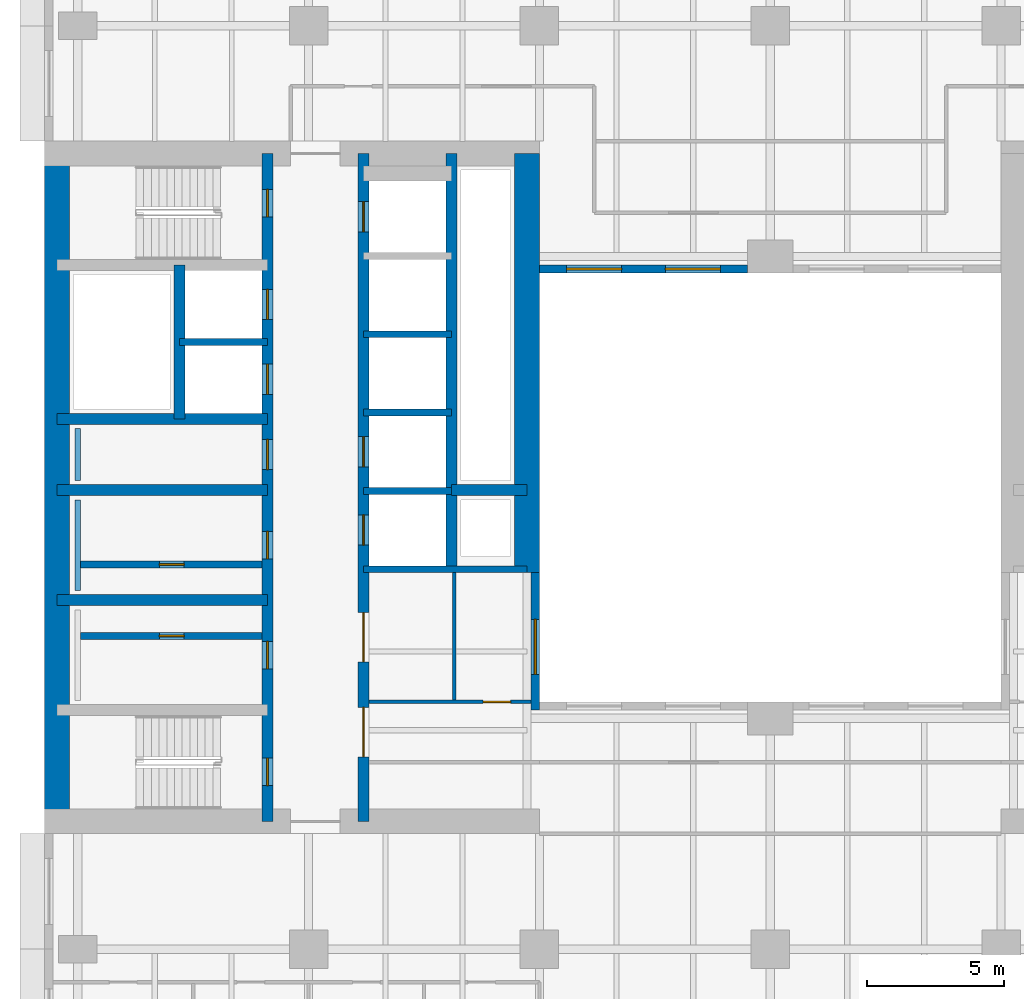
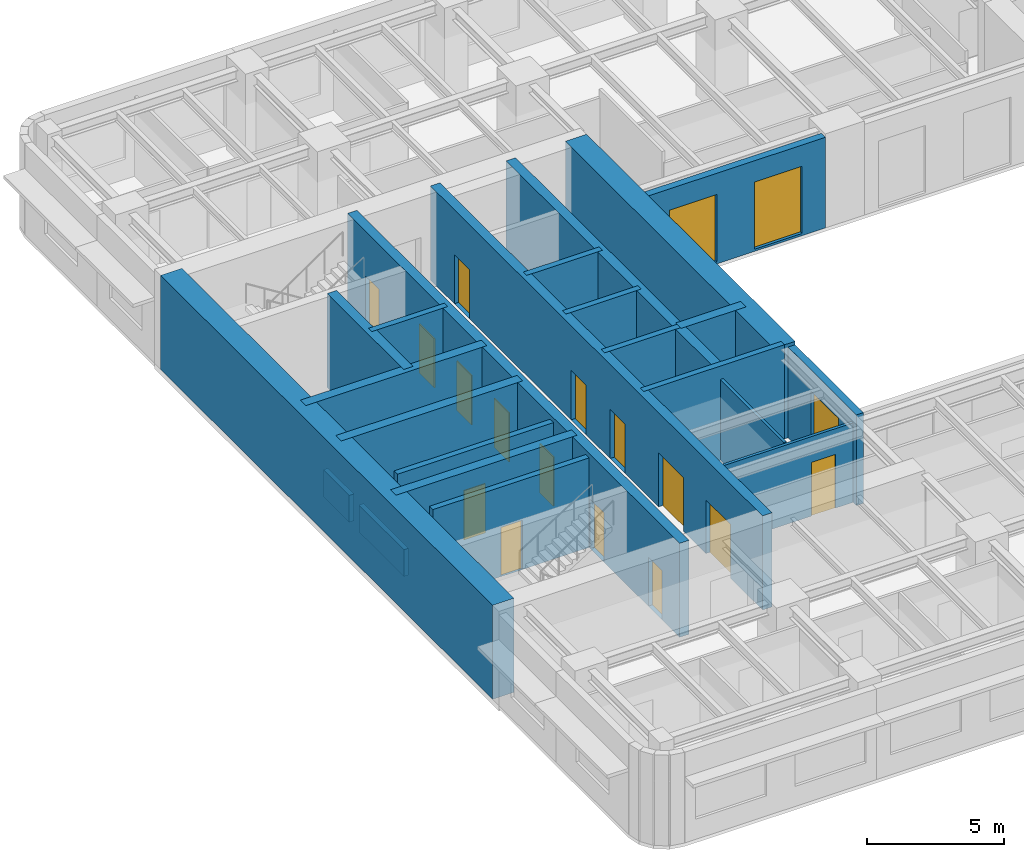
# One storey, part 4 of 11: 23 walls, 15 doors, 3 windows, 18 openings.
"""IFC4 building model written with IfcOpenShell, lengths in metres."""

from ifc_helpers import new_model, si_unit, direction, frame, frame_2d, origin, place, context, subcontext, project, spatial, rectangle, extrude, material, layer, layer_set, type_object, element, fill, save


model = new_model("IFC4")

# Units and contexts
model_context = context("Model", 3, precision=1e-05, world=origin(), true_north=direction((0.0, 1.0)))
body_context = subcontext(model_context, "Body", "Model", "MODEL_VIEW")
ifc_project = project(units=[si_unit("LENGTHUNIT", "METRE"), si_unit("AREAUNIT", "SQUARE_METRE"), si_unit("VOLUMEUNIT", "CUBIC_METRE"), si_unit("PLANEANGLEUNIT", "RADIAN"), si_unit("MASSUNIT", "GRAM", prefix="KILO")], contexts=[model_context])

# Site, building, storey
site_placement = place(None, origin())
site = spatial("IfcSite", under=ifc_project, at=site_placement, CompositionType="ELEMENT")
building_placement = place(site_placement, origin())
building = spatial("IfcBuilding", under=site, at=building_placement, Name="Claustro Exchange Tower", CompositionType="ELEMENT")
storey_placement = place(building_placement, frame((0.0, 0.0, 105.0)))
storey = spatial("IfcBuildingStorey", under=building, at=storey_placement, Name="L23", CompositionType="ELEMENT", Elevation=105.0)

# Wall, opening, door
ifc_material_1 = material(Name="Laminated glass in aluminium frame", Category="aluminium")
ifc_layer_1 = layer(ifc_material_1, 0.1201171875)
ifc_layer_set_1 = layer_set([ifc_layer_1], Name="Laminated glass in aluminium frame")
wall_type_1 = type_object("IfcWallType", Name="P2 120 glazed partition", PredefinedType="PARTITIONING", material=ifc_layer_set_1)
wall_1_placement = place(storey_placement, frame((10.597900390625, 17.39990234375, 0.0), z_axis=(0.0, 0.0, 1.0), x_axis=(1.0, 0.0, 0.0)))
wall_1 = element("IfcWall", 1, at=wall_1_placement, inside=storey, type_object=wall_type_1, Name="Partition P2 L23", PredefinedType="PARTITIONING", context=body_context, shape_type="SweptSolid", body=[
    extrude(rectangle(XDim=5.904052734375, YDim=0.1201171875, at=frame_2d((2.9521484375, 0.0))), origin(), (0.0, 0.0, 1.0), 3.550048828125),
])
opening_1_placement = place(wall_1_placement, frame((4.152099609375, 0.0, 0.0)))
opening_1 = element("IfcOpeningElement", 2, at=opening_1_placement, cuts=wall_1, Name="Opening D7", PredefinedType="OPENING", context=body_context, shape_type="SweptSolid", body=[
    extrude(rectangle(XDim=1.0, YDim=2.39990234375, at=frame_2d((0.5, 1.199951171875))), frame((0.0, 0.070068359375, 0.0), z_axis=(0.0, -1.0, 0.0), x_axis=(1.0, 0.0, 0.0)), (0.0, 0.0, 1.0), 0.14013671875),
])
ifc_material_2 = material(Name="Glass door in aluminium frame", Category="aluminium")
door_type_1 = type_object("IfcDoorType", Name="D7 1000 x 2400 glazed door", OperationType="SINGLE_SWING_LEFT", PredefinedType="DOOR", material=ifc_material_2)
door_1_placement = place(opening_1_placement, origin())
door_1 = element("IfcDoor", 3, at=door_1_placement, inside=storey, type_object=door_type_1, Name="Door D7 L23", OperationType="SINGLE_SWING_RIGHT", OverallHeight=2.39990234375, OverallWidth=1.0, PredefinedType="DOOR", context=body_context, shape_type="SweptSolid", body=[
    extrude(rectangle(XDim=1.0, YDim=2.39990234375, at=frame_2d((0.5, 1.199951171875))), frame((0.0, 0.02490234375, 0.0), z_axis=(0.0, -1.0, 0.0), x_axis=(1.0, 0.0, 0.0)), (0.0, 0.0, 1.0), 0.050048828125),
])
fill(opening_1, door_1)

# Wall
wall_2_placement = place(storey_placement, frame((13.699951171875, 17.4580078125, 0.0), z_axis=(0.0, 0.0, 1.0), x_axis=(0.0, 1.0, 0.0)))
element("IfcWall", 4, at=wall_2_placement, inside=storey, type_object=wall_type_1, Name="Partition P2 L23", PredefinedType="PARTITIONING", context=body_context, shape_type="SweptSolid", body=[
    extrude(rectangle(XDim=4.64404296875, YDim=0.1201171875, at=frame_2d((2.322021484375, 0.0))), origin(), (0.0, 0.0, 1.0), 3.60009765625),
])

# Wall, opening, door
ifc_material_3 = material(Name="Concrete blockwork, rendered", Category="masonry")
ifc_layer_2 = layer(ifc_material_3, 0.25)
ifc_layer_set_2 = layer_set([ifc_layer_2], Name="Concrete blockwork, rendered")
wall_type_2 = type_object("IfcWallType", Name="P4 250 blockwork wall", PredefinedType="PARTITIONING", material=ifc_layer_set_2)
wall_3_placement = place(storey_placement, frame((0.10009765625, 22.39990234375, 0.0), z_axis=(0.0, 0.0, 1.0), x_axis=(1.0, 0.0, 0.0)))
wall_3 = element("IfcWall", 5, at=wall_3_placement, inside=storey, type_object=wall_type_2, Name="Partition P4 L23", PredefinedType="PARTITIONING", context=body_context, shape_type="SweptSolid", body=[
    extrude(rectangle(XDim=6.599853515625, YDim=0.25, at=frame_2d((3.2998046875, 0.0))), origin(), (0.0, 0.0, 1.0), 4.0),
])
opening_2_placement = place(wall_3_placement, frame((2.875, 0.0, 0.0)))
opening_2 = element("IfcOpeningElement", 6, at=opening_2_placement, cuts=wall_3, Name="Opening D5", PredefinedType="OPENING", context=body_context, shape_type="SweptSolid", body=[
    extrude(rectangle(XDim=0.89990234375, YDim=2.199951171875, at=frame_2d((0.449951171875, 1.10009765625))), frame((0.0, 0.135009765625, 0.0), z_axis=(0.0, -1.0, 0.0), x_axis=(1.0, 0.0, 0.0)), (0.0, 0.0, 1.0), 0.27001953125),
])
ifc_material_4 = material(Name="Steel door, painted", Category="steel")
door_type_2 = type_object("IfcDoorType", Name="D5 900 x 2200 store door", OperationType="SINGLE_SWING_LEFT", PredefinedType="DOOR", material=ifc_material_4)
door_2_placement = place(opening_2_placement, frame((0.89990234375, 0.0, 0.0), z_axis=(0.0, 0.0, 1.0), x_axis=(-1.0, 0.0, 0.0)))
door_2 = element("IfcDoor", 7, at=door_2_placement, inside=storey, type_object=door_type_2, Name="Store door D5 L23", OperationType="SINGLE_SWING_RIGHT", OverallHeight=2.199951171875, OverallWidth=0.89990234375, PredefinedType="DOOR", context=body_context, shape_type="SweptSolid", body=[
    extrude(rectangle(XDim=0.89990234375, YDim=2.199951171875, at=frame_2d((0.449951171875, 1.10009765625))), frame((0.0, 0.02490234375, 0.0), z_axis=(0.0, -1.0, 0.0), x_axis=(1.0, 0.0, 0.0)), (0.0, 0.0, 1.0), 0.050048828125),
])
fill(opening_2, door_2)

wall_4_placement = place(storey_placement, frame((0.10009765625, 19.800048828125, 0.0), z_axis=(0.0, 0.0, 1.0), x_axis=(1.0, 0.0, 0.0)))
wall_4 = element("IfcWall", 8, at=wall_4_placement, inside=storey, type_object=wall_type_2, Name="Partition P4 L23", PredefinedType="PARTITIONING", context=body_context, shape_type="SweptSolid", body=[
    extrude(rectangle(XDim=6.599853515625, YDim=0.25, at=frame_2d((3.2998046875, 0.0))), origin(), (0.0, 0.0, 1.0), 4.0),
])
opening_3_placement = place(wall_4_placement, frame((2.875, 0.0, 0.0)))
opening_3 = element("IfcOpeningElement", 9, at=opening_3_placement, cuts=wall_4, Name="Opening D5", PredefinedType="OPENING", context=body_context, shape_type="SweptSolid", body=[
    extrude(rectangle(XDim=0.89990234375, YDim=2.199951171875, at=frame_2d((0.449951171875, 1.10009765625))), frame((0.0, 0.135009765625, 0.0), z_axis=(0.0, -1.0, 0.0), x_axis=(1.0, 0.0, 0.0)), (0.0, 0.0, 1.0), 0.27001953125),
])
door_3_placement = place(opening_3_placement, origin())
door_3 = element("IfcDoor", 10, at=door_3_placement, inside=storey, type_object=door_type_2, Name="Store door D5 L23", OperationType="SINGLE_SWING_LEFT", OverallHeight=2.199951171875, OverallWidth=0.89990234375, PredefinedType="DOOR", context=body_context, shape_type="SweptSolid", body=[
    extrude(rectangle(XDim=0.89990234375, YDim=2.199951171875, at=frame_2d((0.449951171875, 1.10009765625))), frame((0.0, 0.02490234375, 0.0), z_axis=(0.0, -1.0, 0.0), x_axis=(1.0, 0.0, 0.0)), (0.0, 0.0, 1.0), 0.050048828125),
])
fill(opening_3, door_3)

# Wall, opening, window
ifc_material_5 = material(Name="Concrete HA-40 (C40/50), precast, white cement, acid-etched", Category="concrete")
ifc_layer_3 = layer(ifc_material_5, 0.300048828125)
ifc_layer_set_3 = layer_set([ifc_layer_3], Name="Concrete HA-40 (C40/50), precast, white cement, acid-etched")
wall_type_3 = type_object("IfcWallType", Name="PC1 300 precast concrete pier panel", PredefinedType="SOLIDWALL", material=ifc_layer_set_3)
wall_5_placement = place(storey_placement, frame((16.64990234375, 17.10009765625, 0.0), z_axis=(0.0, 0.0, 1.0), x_axis=(0.0, 1.0, 0.0)))
wall_5 = element("IfcWall", 11, at=wall_5_placement, inside=storey, type_object=wall_type_3, Name="Precast pier panel PC1 L23", PredefinedType="SOLIDWALL", context=body_context, shape_type="SweptSolid", body=[
    extrude(rectangle(XDim=5.0, YDim=0.300048828125, at=frame_2d((2.5, 0.0))), origin(), (0.0, 0.0, 1.0), 4.050048828125),
])
opening_4_placement = place(wall_5_placement, frame((1.300048828125, 0.0, 0.10009765625)))
opening_4 = element("IfcOpeningElement", 12, at=opening_4_placement, cuts=wall_5, Name="Opening W-A", PredefinedType="OPENING", context=body_context, shape_type="SweptSolid", body=[
    extrude(rectangle(XDim=2.0, YDim=3.0, at=frame_2d((1.0, 1.5))), frame((0.0, 0.159912109375, 0.0), z_axis=(0.0, -1.0, 0.0), x_axis=(1.0, 0.0, 0.0)), (0.0, 0.0, 1.0), 0.320068359375),
])
ifc_material_6 = material(Name="Aluminium frame, clear double glazing", Category="aluminium")
window_type = type_object("IfcWindowType", Name="W-A 2000 x 3000 arcade window", PartitioningType="SINGLE_PANEL", PredefinedType="WINDOW", material=ifc_material_6)
window_1_placement = place(opening_4_placement, origin())
window_1 = element("IfcWindow", 13, at=window_1_placement, inside=storey, type_object=window_type, Name="Window W-A L23", OverallHeight=3.0, OverallWidth=2.0, PartitioningType="SINGLE_PANEL", PredefinedType="WINDOW", context=body_context, shape_type="SweptSolid", body=[
    extrude(rectangle(XDim=2.0, YDim=3.0, at=frame_2d((1.0, 1.5))), frame((0.0, 0.030029296875, 0.0), z_axis=(0.0, -1.0, 0.0), x_axis=(1.0, 0.0, 0.0)), (0.0, 0.0, 1.0), 0.06005859375),
])
fill(opening_4, window_1)

# Wall, openings, windows
wall_6_placement = place(storey_placement, frame((16.800048828125, 33.14990234375, 0.0), z_axis=(0.0, 0.0, 1.0), x_axis=(1.0, 0.0, 0.0)))
wall_6 = element("IfcWall", 14, at=wall_6_placement, inside=storey, type_object=wall_type_3, Name="Precast pier panel PC1 L23", PredefinedType="SOLIDWALL", context=body_context, shape_type="SweptSolid", body=[
    extrude(rectangle(XDim=7.574951171875, YDim=0.300048828125, at=frame_2d((3.78759765625, 0.0))), origin(), (0.0, 0.0, 1.0), 4.050048828125),
])
opening_5_placement = place(wall_6_placement, frame((0.987548828125, 0.0, 0.10009765625)))
opening_5 = element("IfcOpeningElement", 15, at=opening_5_placement, cuts=wall_6, Name="Opening W-A", PredefinedType="OPENING", context=body_context, shape_type="SweptSolid", body=[
    extrude(rectangle(XDim=2.0, YDim=3.0, at=frame_2d((1.0, 1.5))), frame((0.0, 0.159912109375, 0.0), z_axis=(0.0, -1.0, 0.0), x_axis=(1.0, 0.0, 0.0)), (0.0, 0.0, 1.0), 0.320068359375),
])
opening_6_placement = place(wall_6_placement, frame((4.58740234375, 0.0, 0.10009765625)))
opening_6 = element("IfcOpeningElement", 16, at=opening_6_placement, cuts=wall_6, Name="Opening W-A", PredefinedType="OPENING", context=body_context, shape_type="SweptSolid", body=[
    extrude(rectangle(XDim=2.0, YDim=3.0, at=frame_2d((1.0, 1.5))), frame((0.0, 0.159912109375, 0.0), z_axis=(0.0, -1.0, 0.0), x_axis=(1.0, 0.0, 0.0)), (0.0, 0.0, 1.0), 0.320068359375),
])
window_2_placement = place(opening_5_placement, origin())
window_2 = element("IfcWindow", 17, at=window_2_placement, inside=storey, type_object=window_type, Name="Window W-A L23", OverallHeight=3.0, OverallWidth=2.0, PartitioningType="SINGLE_PANEL", PredefinedType="WINDOW", context=body_context, shape_type="SweptSolid", body=[
    extrude(rectangle(XDim=2.0, YDim=3.0, at=frame_2d((1.0, 1.5))), frame((0.0, 0.030029296875, 0.0), z_axis=(0.0, -1.0, 0.0), x_axis=(1.0, 0.0, 0.0)), (0.0, 0.0, 1.0), 0.06005859375),
])
fill(opening_5, window_2)
window_3_placement = place(opening_6_placement, origin())
window_3 = element("IfcWindow", 18, at=window_3_placement, inside=storey, type_object=window_type, Name="Window W-A L23", OverallHeight=3.0, OverallWidth=2.0, PartitioningType="SINGLE_PANEL", PredefinedType="WINDOW", context=body_context, shape_type="SweptSolid", body=[
    extrude(rectangle(XDim=2.0, YDim=3.0, at=frame_2d((1.0, 1.5))), frame((0.0, 0.030029296875, 0.0), z_axis=(0.0, -1.0, 0.0), x_axis=(1.0, 0.0, 0.0)), (0.0, 0.0, 1.0), 0.06005859375),
])
fill(opening_6, window_3)

# Walls
ifc_material_7 = material(Name="Gypsum board on steel studs, tiled", Category="steel")
ifc_layer_4 = layer(ifc_material_7, 0.199951171875)
ifc_layer_set_4 = layer_set([ifc_layer_4], Name="Gypsum board on steel studs, tiled")
wall_type_4 = type_object("IfcWallType", Name="PW1 200 WC duct wall", PredefinedType="PLUMBINGWALL", material=ifc_layer_set_4)
wall_7_placement = place(storey_placement, frame((0.0, 21.449951171875, 0.0), z_axis=(0.0, 0.0, 1.0), x_axis=(0.0, 1.0, 0.0)))
element("IfcWall", 19, at=wall_7_placement, inside=storey, type_object=wall_type_4, Name="WC duct wall PW1 L23", PredefinedType="PLUMBINGWALL", context=body_context, shape_type="SweptSolid", body=[
    extrude(rectangle(XDim=3.300048828125, YDim=0.199951171875, at=frame_2d((1.64990234375, 0.0))), origin(), (0.0, 0.0, 1.0), 1.199951171875),
])
wall_8_placement = place(storey_placement, frame((0.0, 25.449951171875, 0.0), z_axis=(0.0, 0.0, 1.0), x_axis=(0.0, 1.0, 0.0)))
element("IfcWall", 20, at=wall_8_placement, inside=storey, type_object=wall_type_4, Name="WC duct wall PW1 L23", PredefinedType="PLUMBINGWALL", context=body_context, shape_type="SweptSolid", body=[
    extrude(rectangle(XDim=1.900146484375, YDim=0.199951171875, at=frame_2d((0.9501953125, 0.0))), origin(), (0.0, 0.0, 1.0), 1.199951171875),
])
ifc_material_8 = material(Name="Concrete HA-70 (C70/85)", Category="concrete")
ifc_layer_5 = layer(ifc_material_8, 0.89990234375)
ifc_layer_set_5 = layer_set([ifc_layer_5], Name="Concrete HA-70 (C70/85)")
wall_type_5 = type_object("IfcWallType", Name="SW1X 900 exposed core shear wall, board-marked face", PredefinedType="SHEAR", material=ifc_layer_set_5)
wall_9_placement = place(storey_placement, frame((-0.75, 13.050048828125, 0.0), z_axis=(0.0, 0.0, 1.0), x_axis=(0.0, 1.0, 0.0)))
element("IfcWall", 21, at=wall_9_placement, inside=storey, type_object=wall_type_5, Name="Core wall SW1X W core W face L23", PredefinedType="SHEAR", context=body_context, shape_type="SweptSolid", body=[
    extrude(rectangle(XDim=24.300048828125, YDim=0.89990234375, at=frame_2d((12.14990234375, 0.0))), origin(), (0.0, 0.0, 1.0), 4.199951171875),
])
wall_10_placement = place(storey_placement, frame((16.35009765625, 22.10009765625, 0.0), z_axis=(0.0, 0.0, 1.0), x_axis=(0.0, 1.0, 0.0)))
element("IfcWall", 22, at=wall_10_placement, inside=storey, type_object=wall_type_5, Name="Core wall SW1X W core E face L23", PredefinedType="SHEAR", context=body_context, shape_type="SweptSolid", body=[
    extrude(rectangle(XDim=15.25, YDim=0.89990234375, at=frame_2d((7.625, 0.0))), origin(), (0.0, 0.0, 1.0), 4.199951171875),
])

# Wall, openings, doors
ifc_material_9 = material(Name="Concrete HA-50 (C50/60)", Category="concrete")
ifc_layer_6 = layer(ifc_material_9, 0.39990234375)
ifc_layer_set_6 = layer_set([ifc_layer_6], Name="Concrete HA-50 (C50/60)")
wall_type_6 = type_object("IfcWallType", Name="SW4 400 internal core wall", PredefinedType="SHEAR", material=ifc_layer_set_6)
wall_11_placement = place(storey_placement, frame((6.89990234375, 13.050048828125, 0.0), z_axis=(0.0, 0.0, 1.0), x_axis=(0.0, 1.0, 0.0)))
wall_11 = element("IfcWall", 23, at=wall_11_placement, inside=storey, type_object=wall_type_6, Name="Internal core wall SW4 W core L23", PredefinedType="SHEAR", context=body_context, shape_type="SweptSolid", body=[
    extrude(rectangle(XDim=24.300048828125, YDim=0.39990234375, at=frame_2d((12.14990234375, 0.0))), origin(), (0.0, 0.0, 1.0), 4.199951171875),
])
opening_7_placement = place(wall_11_placement, frame((1.300048828125, 0.0, 0.0)))
opening_7 = element("IfcOpeningElement", 24, at=opening_7_placement, cuts=wall_11, Name="Opening D4", PredefinedType="OPENING", context=body_context, shape_type="SweptSolid", body=[
    extrude(rectangle(XDim=1.0, YDim=2.199951171875, at=frame_2d((0.5, 1.10009765625))), frame((0.0, 0.2099609375, 0.0), z_axis=(0.0, -1.0, 0.0), x_axis=(1.0, 0.0, 0.0)), (0.0, 0.0, 1.0), 0.419921875),
])
opening_8_placement = place(wall_11_placement, frame((22.0, 0.0, 0.0)))
opening_8 = element("IfcOpeningElement", 25, at=opening_8_placement, cuts=wall_11, Name="Opening D4", PredefinedType="OPENING", context=body_context, shape_type="SweptSolid", body=[
    extrude(rectangle(XDim=1.0, YDim=2.199951171875, at=frame_2d((0.5, 1.10009765625))), frame((0.0, 0.2099609375, 0.0), z_axis=(0.0, -1.0, 0.0), x_axis=(1.0, 0.0, 0.0)), (0.0, 0.0, 1.0), 0.419921875),
])
opening_9_placement = place(wall_11_placement, frame((5.550048828125, 0.0, 0.0)))
opening_9 = element("IfcOpeningElement", 26, at=opening_9_placement, cuts=wall_11, Name="Opening D1", PredefinedType="OPENING", context=body_context, shape_type="SweptSolid", body=[
    extrude(rectangle(XDim=1.0, YDim=2.199951171875, at=frame_2d((0.5, 1.10009765625))), frame((0.0, 0.2099609375, 0.0), z_axis=(0.0, -1.0, 0.0), x_axis=(1.0, 0.0, 0.0)), (0.0, 0.0, 1.0), 0.419921875),
])
opening_10_placement = place(wall_11_placement, frame((9.550048828125, 0.0, 0.0)))
opening_10 = element("IfcOpeningElement", 27, at=opening_10_placement, cuts=wall_11, Name="Opening D1", PredefinedType="OPENING", context=body_context, shape_type="SweptSolid", body=[
    extrude(rectangle(XDim=1.0, YDim=2.199951171875, at=frame_2d((0.5, 1.10009765625))), frame((0.0, 0.2099609375, 0.0), z_axis=(0.0, -1.0, 0.0), x_axis=(1.0, 0.0, 0.0)), (0.0, 0.0, 1.0), 0.419921875),
])
opening_11_placement = place(wall_11_placement, frame((12.800048828125, 0.0, 0.0)))
opening_11 = element("IfcOpeningElement", 28, at=opening_11_placement, cuts=wall_11, Name="Opening D10", PredefinedType="OPENING", context=body_context, shape_type="SweptSolid", body=[
    extrude(rectangle(XDim=1.10009765625, YDim=2.199951171875, at=frame_2d((0.550048828125, 1.10009765625))), frame((0.0, 0.2099609375, 0.0), z_axis=(0.0, -1.0, 0.0), x_axis=(1.0, 0.0, 0.0)), (0.0, 0.0, 1.0), 0.419921875),
])
opening_12_placement = place(wall_11_placement, frame((15.53759765625, 0.0, 0.0)))
opening_12 = element("IfcOpeningElement", 29, at=opening_12_placement, cuts=wall_11, Name="Opening LD", PredefinedType="OPENING", context=body_context, shape_type="SweptSolid", body=[
    extrude(rectangle(XDim=1.10009765625, YDim=2.199951171875, at=frame_2d((0.550048828125, 1.10009765625))), frame((0.0, 0.2099609375, 0.0), z_axis=(0.0, -1.0, 0.0), x_axis=(1.0, 0.0, 0.0)), (0.0, 0.0, 1.0), 0.419921875),
])
opening_13_placement = place(wall_11_placement, frame((18.262451171875, 0.0, 0.0)))
opening_13 = element("IfcOpeningElement", 30, at=opening_13_placement, cuts=wall_11, Name="Opening LD", PredefinedType="OPENING", context=body_context, shape_type="SweptSolid", body=[
    extrude(rectangle(XDim=1.10009765625, YDim=2.199951171875, at=frame_2d((0.550048828125, 1.10009765625))), frame((0.0, 0.2099609375, 0.0), z_axis=(0.0, -1.0, 0.0), x_axis=(1.0, 0.0, 0.0)), (0.0, 0.0, 1.0), 0.419921875),
])
ifc_material_10 = material(Name="Timber door, oak veneer", Category="wood")
door_type_3 = type_object("IfcDoorType", Name="D1 1000 x 2200 single door", OperationType="SINGLE_SWING_LEFT", PredefinedType="DOOR", material=ifc_material_10)
door_4_placement = place(opening_9_placement, origin())
door_4 = element("IfcDoor", 31, at=door_4_placement, inside=storey, type_object=door_type_3, Name="Door D1 L23", OperationType="SINGLE_SWING_RIGHT", OverallHeight=2.199951171875, OverallWidth=1.0, PredefinedType="DOOR", context=body_context, shape_type="SweptSolid", body=[
    extrude(rectangle(XDim=1.0, YDim=2.199951171875, at=frame_2d((0.5, 1.10009765625))), frame((0.0, 0.02490234375, 0.0), z_axis=(0.0, -1.0, 0.0), x_axis=(1.0, 0.0, 0.0)), (0.0, 0.0, 1.0), 0.050048828125),
])
fill(opening_9, door_4)
door_5_placement = place(opening_10_placement, origin())
door_5 = element("IfcDoor", 32, at=door_5_placement, inside=storey, type_object=door_type_3, Name="Door D1 L23", OperationType="SINGLE_SWING_LEFT", OverallHeight=2.199951171875, OverallWidth=1.0, PredefinedType="DOOR", context=body_context, shape_type="SweptSolid", body=[
    extrude(rectangle(XDim=1.0, YDim=2.199951171875, at=frame_2d((0.5, 1.10009765625))), frame((0.0, 0.02490234375, 0.0), z_axis=(0.0, -1.0, 0.0), x_axis=(1.0, 0.0, 0.0)), (0.0, 0.0, 1.0), 0.050048828125),
])
fill(opening_10, door_5)
ifc_material_11 = material(Name="Timber door, oak veneer", Category="wood")
door_type_4 = type_object("IfcDoorType", Name="D10 1100 x 2200 accessible WC door", OperationType="SINGLE_SWING_LEFT", PredefinedType="DOOR", material=ifc_material_11)
door_6_placement = place(opening_11_placement, frame((1.10009765625, 0.0, 0.0), z_axis=(0.0, 0.0, 1.0), x_axis=(-1.0, 0.0, 0.0)))
door_6 = element("IfcDoor", 33, at=door_6_placement, inside=storey, type_object=door_type_4, Name="Accessible WC door D10 L23", OperationType="SINGLE_SWING_LEFT", OverallHeight=2.199951171875, OverallWidth=1.10009765625, PredefinedType="DOOR", context=body_context, shape_type="SweptSolid", body=[
    extrude(rectangle(XDim=1.10009765625, YDim=2.199951171875, at=frame_2d((0.550048828125, 1.10009765625))), frame((0.0, 0.02490234375, 0.0), z_axis=(0.0, -1.0, 0.0), x_axis=(1.0, 0.0, 0.0)), (0.0, 0.0, 1.0), 0.050048828125),
])
fill(opening_11, door_6)
ifc_material_12 = material(Name="Steel fire door, painted", Category="steel")
door_type_5 = type_object("IfcDoorType", Name="D4 1000 x 2200 fire-rated stair door", OperationType="SINGLE_SWING_LEFT", PredefinedType="DOOR", material=ifc_material_12)
door_7_placement = place(opening_7_placement, origin())
door_7 = element("IfcDoor", 34, at=door_7_placement, inside=storey, type_object=door_type_5, Name="Stair door D4 L23", OperationType="SINGLE_SWING_LEFT", OverallHeight=2.199951171875, OverallWidth=1.0, PredefinedType="DOOR", context=body_context, shape_type="SweptSolid", body=[
    extrude(rectangle(XDim=1.0, YDim=2.199951171875, at=frame_2d((0.5, 1.10009765625))), frame((0.0, 0.02490234375, 0.0), z_axis=(0.0, -1.0, 0.0), x_axis=(1.0, 0.0, 0.0)), (0.0, 0.0, 1.0), 0.050048828125),
])
fill(opening_7, door_7)
door_8_placement = place(opening_8_placement, origin())
door_8 = element("IfcDoor", 35, at=door_8_placement, inside=storey, type_object=door_type_5, Name="Stair door D4 L23", OperationType="SINGLE_SWING_RIGHT", OverallHeight=2.199951171875, OverallWidth=1.0, PredefinedType="DOOR", context=body_context, shape_type="SweptSolid", body=[
    extrude(rectangle(XDim=1.0, YDim=2.199951171875, at=frame_2d((0.5, 1.10009765625))), frame((0.0, 0.02490234375, 0.0), z_axis=(0.0, -1.0, 0.0), x_axis=(1.0, 0.0, 0.0)), (0.0, 0.0, 1.0), 0.050048828125),
])
fill(opening_8, door_8)
ifc_material_13 = material(Name="Stainless steel sliding door", Category="steel")
door_type_6 = type_object("IfcDoorType", Name="LD 1100 x 2200 lift landing door", OperationType="DOUBLE_DOOR_SLIDING", PredefinedType="DOOR", material=ifc_material_13)
door_9_placement = place(opening_12_placement, origin())
door_9 = element("IfcDoor", 36, at=door_9_placement, inside=storey, type_object=door_type_6, Name="Lift landing door LEW1 LD L23", OperationType="DOUBLE_DOOR_SLIDING", OverallHeight=2.199951171875, OverallWidth=1.10009765625, PredefinedType="DOOR", context=body_context, shape_type="SweptSolid", body=[
    extrude(rectangle(XDim=1.10009765625, YDim=2.199951171875, at=frame_2d((0.550048828125, 1.10009765625))), frame((0.0, 0.02490234375, 0.0), z_axis=(0.0, -1.0, 0.0), x_axis=(1.0, 0.0, 0.0)), (0.0, 0.0, 1.0), 0.050048828125),
])
fill(opening_12, door_9)
door_10_placement = place(opening_13_placement, origin())
door_10 = element("IfcDoor", 37, at=door_10_placement, inside=storey, type_object=door_type_6, Name="Lift landing door LEW2 LD L23", OperationType="DOUBLE_DOOR_SLIDING", OverallHeight=2.199951171875, OverallWidth=1.10009765625, PredefinedType="DOOR", context=body_context, shape_type="SweptSolid", body=[
    extrude(rectangle(XDim=1.10009765625, YDim=2.199951171875, at=frame_2d((0.550048828125, 1.10009765625))), frame((0.0, 0.02490234375, 0.0), z_axis=(0.0, -1.0, 0.0), x_axis=(1.0, 0.0, 0.0)), (0.0, 0.0, 1.0), 0.050048828125),
])
fill(opening_13, door_10)

wall_12_placement = place(storey_placement, frame((10.39990234375, 13.050048828125, 0.0), z_axis=(0.0, 0.0, 1.0), x_axis=(0.0, 1.0, 0.0)))
wall_12 = element("IfcWall", 38, at=wall_12_placement, inside=storey, type_object=wall_type_6, Name="Internal core wall SW4 W core L23", PredefinedType="SHEAR", context=body_context, shape_type="SweptSolid", body=[
    extrude(rectangle(XDim=24.300048828125, YDim=0.39990234375, at=frame_2d((12.14990234375, 0.0))), origin(), (0.0, 0.0, 1.0), 4.199951171875),
])
opening_14_placement = place(wall_12_placement, frame((10.050048828125, 0.0, 0.0)))
opening_14 = element("IfcOpeningElement", 39, at=opening_14_placement, cuts=wall_12, Name="Opening LD", PredefinedType="OPENING", context=body_context, shape_type="SweptSolid", body=[
    extrude(rectangle(XDim=1.10009765625, YDim=2.199951171875, at=frame_2d((0.550048828125, 1.10009765625))), frame((0.0, 0.2099609375, 0.0), z_axis=(0.0, -1.0, 0.0), x_axis=(1.0, 0.0, 0.0)), (0.0, 0.0, 1.0), 0.419921875),
])
opening_15_placement = place(wall_12_placement, frame((12.89990234375, 0.0, 0.0)))
opening_15 = element("IfcOpeningElement", 40, at=opening_15_placement, cuts=wall_12, Name="Opening LD", PredefinedType="OPENING", context=body_context, shape_type="SweptSolid", body=[
    extrude(rectangle(XDim=1.10009765625, YDim=2.199951171875, at=frame_2d((0.550048828125, 1.10009765625))), frame((0.0, 0.2099609375, 0.0), z_axis=(0.0, -1.0, 0.0), x_axis=(1.0, 0.0, 0.0)), (0.0, 0.0, 1.0), 0.419921875),
])
opening_16_placement = place(wall_12_placement, frame((21.449951171875, 0.0, 0.0)))
opening_16 = element("IfcOpeningElement", 41, at=opening_16_placement, cuts=wall_12, Name="Opening LD", PredefinedType="OPENING", context=body_context, shape_type="SweptSolid", body=[
    extrude(rectangle(XDim=1.10009765625, YDim=2.199951171875, at=frame_2d((0.550048828125, 1.10009765625))), frame((0.0, 0.2099609375, 0.0), z_axis=(0.0, -1.0, 0.0), x_axis=(1.0, 0.0, 0.0)), (0.0, 0.0, 1.0), 0.419921875),
])
opening_17_placement = place(wall_12_placement, frame((2.35009765625, 0.0, 0.0)))
opening_17 = element("IfcOpeningElement", 42, at=opening_17_placement, cuts=wall_12, Name="Opening D3", PredefinedType="OPENING", context=body_context, shape_type="SweptSolid", body=[
    extrude(rectangle(XDim=1.800048828125, YDim=2.39990234375, at=frame_2d((0.89990234375, 1.199951171875))), frame((0.0, 0.2099609375, 0.0), z_axis=(0.0, -1.0, 0.0), x_axis=(1.0, 0.0, 0.0)), (0.0, 0.0, 1.0), 0.419921875),
])
opening_18_placement = place(wall_12_placement, frame((5.800048828125, 0.0, 0.0)))
opening_18 = element("IfcOpeningElement", 43, at=opening_18_placement, cuts=wall_12, Name="Opening D3", PredefinedType="OPENING", context=body_context, shape_type="SweptSolid", body=[
    extrude(rectangle(XDim=1.800048828125, YDim=2.39990234375, at=frame_2d((0.89990234375, 1.199951171875))), frame((0.0, 0.2099609375, 0.0), z_axis=(0.0, -1.0, 0.0), x_axis=(1.0, 0.0, 0.0)), (0.0, 0.0, 1.0), 0.419921875),
])
ifc_material_14 = material(Name="Steel fire door, painted", Category="steel")
door_type_7 = type_object("IfcDoorType", Name="D3 1800 x 2400 fire-rated lobby double door", OperationType="DOUBLE_DOOR_SINGLE_SWING", PredefinedType="DOOR", material=ifc_material_14)
door_11_placement = place(opening_17_placement, origin())
door_11 = element("IfcDoor", 44, at=door_11_placement, inside=storey, type_object=door_type_7, Name="Core zone door D3 L23", OperationType="DOUBLE_DOOR_SINGLE_SWING", OverallHeight=2.39990234375, OverallWidth=1.800048828125, PredefinedType="DOOR", context=body_context, shape_type="SweptSolid", body=[
    extrude(rectangle(XDim=1.800048828125, YDim=2.39990234375, at=frame_2d((0.89990234375, 1.199951171875))), frame((0.0, 0.02490234375, 0.0), z_axis=(0.0, -1.0, 0.0), x_axis=(1.0, 0.0, 0.0)), (0.0, 0.0, 1.0), 0.050048828125),
])
fill(opening_17, door_11)
door_12_placement = place(opening_18_placement, frame((1.800048828125, 0.0, 0.0), z_axis=(0.0, 0.0, 1.0), x_axis=(-1.0, 0.0, 0.0)))
door_12 = element("IfcDoor", 45, at=door_12_placement, inside=storey, type_object=door_type_7, Name="Core zone door D3 L23", OperationType="DOUBLE_DOOR_SINGLE_SWING", OverallHeight=2.39990234375, OverallWidth=1.800048828125, PredefinedType="DOOR", context=body_context, shape_type="SweptSolid", body=[
    extrude(rectangle(XDim=1.800048828125, YDim=2.39990234375, at=frame_2d((0.89990234375, 1.199951171875))), frame((0.0, 0.02490234375, 0.0), z_axis=(0.0, -1.0, 0.0), x_axis=(1.0, 0.0, 0.0)), (0.0, 0.0, 1.0), 0.050048828125),
])
fill(opening_18, door_12)
door_13_placement = place(opening_14_placement, origin())
door_13 = element("IfcDoor", 46, at=door_13_placement, inside=storey, type_object=door_type_6, Name="Lift landing door LMW1 LD L23", OperationType="DOUBLE_DOOR_SLIDING", OverallHeight=2.199951171875, OverallWidth=1.10009765625, PredefinedType="DOOR", context=body_context, shape_type="SweptSolid", body=[
    extrude(rectangle(XDim=1.10009765625, YDim=2.199951171875, at=frame_2d((0.550048828125, 1.10009765625))), frame((0.0, 0.02490234375, 0.0), z_axis=(0.0, -1.0, 0.0), x_axis=(1.0, 0.0, 0.0)), (0.0, 0.0, 1.0), 0.050048828125),
])
fill(opening_14, door_13)
door_14_placement = place(opening_15_placement, origin())
door_14 = element("IfcDoor", 47, at=door_14_placement, inside=storey, type_object=door_type_6, Name="Lift landing door LMW2 LD L23", OperationType="DOUBLE_DOOR_SLIDING", OverallHeight=2.199951171875, OverallWidth=1.10009765625, PredefinedType="DOOR", context=body_context, shape_type="SweptSolid", body=[
    extrude(rectangle(XDim=1.10009765625, YDim=2.199951171875, at=frame_2d((0.550048828125, 1.10009765625))), frame((0.0, 0.02490234375, 0.0), z_axis=(0.0, -1.0, 0.0), x_axis=(1.0, 0.0, 0.0)), (0.0, 0.0, 1.0), 0.050048828125),
])
fill(opening_15, door_14)
door_15_placement = place(opening_16_placement, origin())
door_15 = element("IfcDoor", 48, at=door_15_placement, inside=storey, type_object=door_type_6, Name="Lift landing door LSW1 LD L23", OperationType="DOUBLE_DOOR_SLIDING", OverallHeight=2.199951171875, OverallWidth=1.10009765625, PredefinedType="DOOR", context=body_context, shape_type="SweptSolid", body=[
    extrude(rectangle(XDim=1.10009765625, YDim=2.199951171875, at=frame_2d((0.550048828125, 1.10009765625))), frame((0.0, 0.02490234375, 0.0), z_axis=(0.0, -1.0, 0.0), x_axis=(1.0, 0.0, 0.0)), (0.0, 0.0, 1.0), 0.050048828125),
])
fill(opening_16, door_15)

# Walls
wall_13_placement = place(storey_placement, frame((13.60009765625, 22.22509765625, 0.0), z_axis=(0.0, 0.0, 1.0), x_axis=(0.0, 1.0, 0.0)))
element("IfcWall", 49, at=wall_13_placement, inside=storey, type_object=wall_type_6, Name="Internal core wall SW4 W core L23", PredefinedType="SHEAR", context=body_context, shape_type="SweptSolid", body=[
    extrude(rectangle(XDim=15.125, YDim=0.39990234375, at=frame_2d((7.5625, 0.0))), origin(), (0.0, 0.0, 1.0), 4.199951171875),
])
for number, where, z_axis, x_axis, name in (
    (50, (-0.75, 21.10009765625, 0.0), (0.0, 0.0, 1.0), (1.0, 0.0, 0.0), "Internal core wall SW4 W core L23"),
    (51, (-0.75, 25.10009765625, 0.0), (0.0, 0.0, 1.0), (1.0, 0.0, 0.0), "Internal core wall SW4 W core L23"),
    (52, (-0.75, 27.699951171875, 0.0), (0.0, 0.0, 1.0), (1.0, 0.0, 0.0), "Internal core wall SW4 W core L23"),
):
    element("IfcWall", number, at=place(storey_placement, frame(where, z_axis=z_axis, x_axis=x_axis)), inside=storey, type_object=wall_type_6, Name=name, PredefinedType="SHEAR", context=body_context, shape_type="SweptSolid", body=[
        extrude(rectangle(XDim=7.64990234375, YDim=0.39990234375, at=frame_2d((3.824951171875, 0.0))), origin(), (0.0, 0.0, 1.0), 4.199951171875),
    ])
wall_14_placement = place(storey_placement, frame((3.699951171875, 27.699951171875, 0.0), z_axis=(0.0, 0.0, 1.0), x_axis=(0.0, 1.0, 0.0)))
element("IfcWall", 53, at=wall_14_placement, inside=storey, type_object=wall_type_6, Name="Internal core wall SW4 W core L23", PredefinedType="SHEAR", context=body_context, shape_type="SweptSolid", body=[
    extrude(rectangle(XDim=5.60009765625, YDim=0.39990234375, at=frame_2d((2.800048828125, 0.0))), origin(), (0.0, 0.0, 1.0), 4.199951171875),
])
wall_15_placement = place(storey_placement, frame((13.60009765625, 25.10009765625, 0.0), z_axis=(0.0, 0.0, 1.0), x_axis=(1.0, 0.0, 0.0)))
element("IfcWall", 54, at=wall_15_placement, inside=storey, type_object=wall_type_6, Name="Internal core wall SW4 W core L23", PredefinedType="SHEAR", context=body_context, shape_type="SweptSolid", body=[
    extrude(rectangle(XDim=2.75, YDim=0.39990234375, at=frame_2d((1.375, 0.0))), origin(), (0.0, 0.0, 1.0), 4.199951171875),
])
ifc_material_15 = material(Name="Concrete HA-50 (C50/60)", Category="concrete")
ifc_layer_7 = layer(ifc_material_15, 0.25)
ifc_layer_set_7 = layer_set([ifc_layer_7], Name="Concrete HA-50 (C50/60)")
wall_type_7 = type_object("IfcWallType", Name="SW5 250 lift shaft divider wall", PredefinedType="SHEAR", material=ifc_layer_set_7)
wall_16_placement = place(storey_placement, frame((3.699951171875, 30.5, 0.0), z_axis=(0.0, 0.0, 1.0), x_axis=(1.0, 0.0, 0.0)))
element("IfcWall", 55, at=wall_16_placement, inside=storey, type_object=wall_type_7, Name="Lift shaft wall W core L23", PredefinedType="SHEAR", context=body_context, shape_type="SweptSolid", body=[
    extrude(rectangle(XDim=3.199951171875, YDim=0.25, at=frame_2d((1.60009765625, 0.0))), origin(), (0.0, 0.0, 1.0), 4.199951171875),
])
wall_17_placement = place(storey_placement, frame((10.39990234375, 22.22509765625, 0.0), z_axis=(0.0, 0.0, 1.0), x_axis=(1.0, 0.0, 0.0)))
element("IfcWall", 56, at=wall_17_placement, inside=storey, type_object=wall_type_7, Name="Core step wall W core L23", PredefinedType="SHEAR", context=body_context, shape_type="SweptSolid", body=[
    extrude(rectangle(XDim=5.9501953125, YDim=0.25, at=frame_2d((2.97509765625, 0.0))), origin(), (0.0, 0.0, 1.0), 4.199951171875),
])
for number, where, z_axis, x_axis, name in (
    (57, (10.39990234375, 25.074951171875, 0.0), (0.0, 0.0, 1.0), (1.0, 0.0, 0.0), "Lift shaft wall W core L23"),
    (58, (10.39990234375, 27.925048828125, 0.0), (0.0, 0.0, 1.0), (1.0, 0.0, 0.0), "Lift shaft wall W core L23"),
    (59, (10.39990234375, 30.77490234375, 0.0), (0.0, 0.0, 1.0), (1.0, 0.0, 0.0), "Lift shaft wall W core L23"),
):
    element("IfcWall", number, at=place(storey_placement, frame(where, z_axis=z_axis, x_axis=x_axis)), inside=storey, type_object=wall_type_7, Name=name, PredefinedType="SHEAR", context=body_context, shape_type="SweptSolid", body=[
        extrude(rectangle(XDim=3.2001953125, YDim=0.25, at=frame_2d((1.60009765625, 0.0))), origin(), (0.0, 0.0, 1.0), 4.199951171875),
    ])

save(model, "model.ifc")
